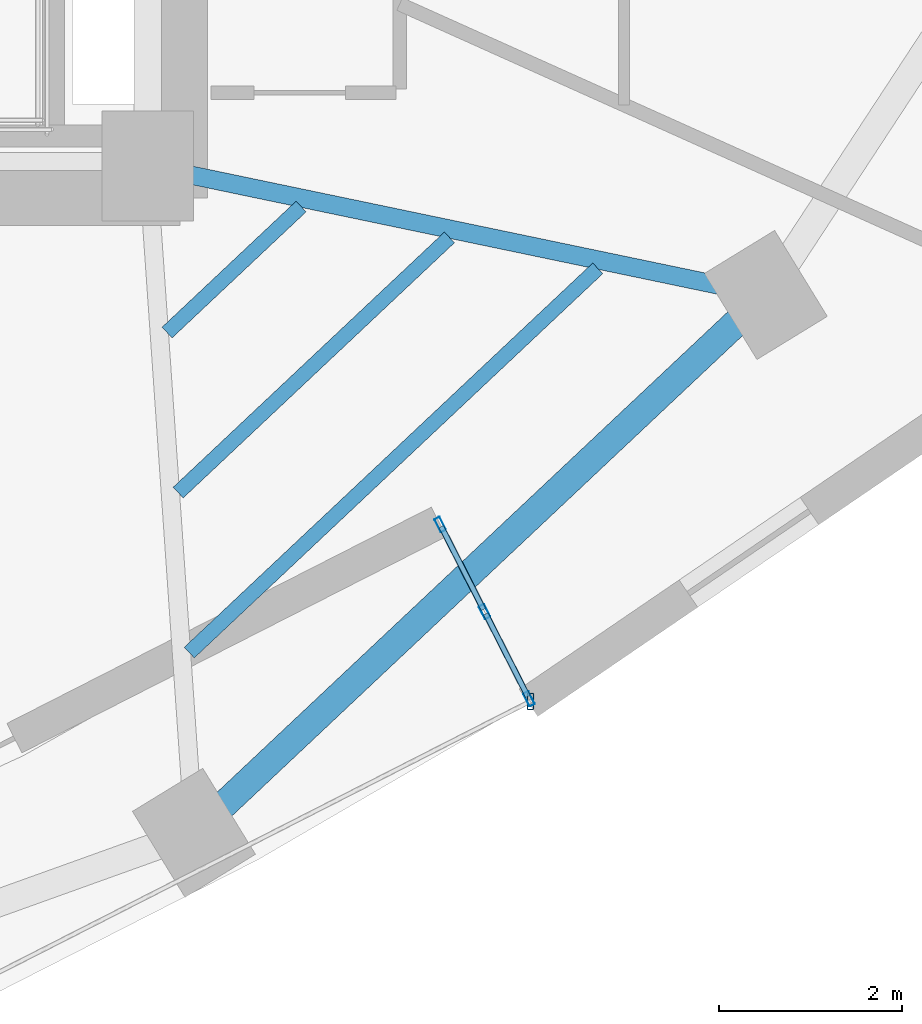
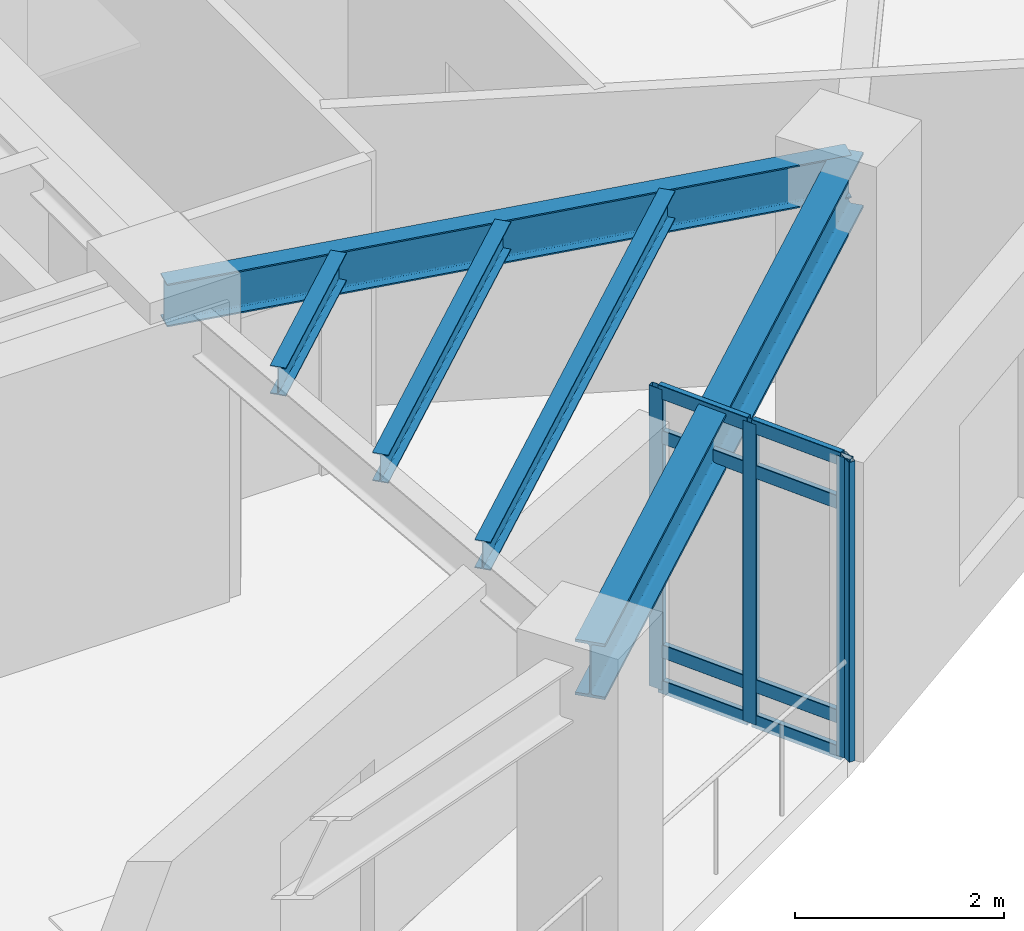
# One storey, part 3 of 11: 12 members, 5 beams, 1 element without a shape of its own.
"""IFC4 building model written with IfcOpenShell, lengths in metres."""

from ifc_helpers import new_model, si_unit, direction, frame, origin, origin_2d, place, context, subcontext, project, spatial, hollow_rectangle, i_section, extrude, material, layer, layer_set, material_profile, profile_set, type_object, element, aggregate, save


model = new_model("IFC4")

# Units and contexts
model_context = context("Model", 3, precision=1e-05, world=origin(), true_north=direction((0.0, 1.0)))
body_context = subcontext(model_context, "Body", "Model", "MODEL_VIEW")
ifc_project = project(units=[si_unit("LENGTHUNIT", "METRE"), si_unit("AREAUNIT", "SQUARE_METRE"), si_unit("VOLUMEUNIT", "CUBIC_METRE"), si_unit("PLANEANGLEUNIT", "RADIAN"), si_unit("MASSUNIT", "GRAM", prefix="KILO")], contexts=[model_context])

# Site, building, storey
site_placement = place(None, origin())
site = spatial("IfcSite", under=ifc_project, at=site_placement, CompositionType="ELEMENT")
building_placement = place(site_placement, origin())
building = spatial("IfcBuilding", under=site, at=building_placement, Name="Ndelora Gate Hotel", CompositionType="ELEMENT")
storey_placement = place(building_placement, frame((0.0, 0.0, 116.0)))
storey = spatial("IfcBuildingStorey", under=building, at=storey_placement, Name="L28", CompositionType="ELEMENT", Elevation=116.0)

# Beams
ifc_material_1 = material(Name="Steel S355", Category="steel")
ifc_material_profile_1 = material_profile(ifc_material_1, i_section(OverallWidth=0.159912109375, OverallDepth=0.330078125, WebThickness=0.007568359375, FlangeThickness=0.011474609375, FilletRadius=0.01806640625, at=origin_2d()), Name="IPE 330")
ifc_profile_set_1 = profile_set([ifc_material_profile_1], Name="Steel S355")
beam_type_1 = type_object("IfcBeamType", Name="BM-JST-330", PredefinedType="JOIST", material=ifc_profile_set_1)
beam_1_placement = place(storey_placement, frame((8.211181640625, -8.4169921875, 3.3349609375), z_axis=(0.728414088998, 0.685137150466, 0.0), x_axis=(-0.685137150466, 0.728414088998, 0.0)))
element("IfcBeam", 1, at=beam_1_placement, inside=storey, type_object=beam_type_1, Name="L28 Secondary Composite Floor Joist IN-7", PredefinedType="JOIST", context=body_context, shape_type="SweptSolid", body=[
    extrude(i_section(OverallWidth=0.159912109375, OverallDepth=0.330078125, WebThickness=0.007568359375, FlangeThickness=0.011474609375, FilletRadius=0.01806640625, at=origin_2d()), origin(), (0.0, 0.0, 1.0), 2.00830078125),
])
beam_2_placement = place(storey_placement, frame((8.33251953125, -10.163818359375, 3.3349609375), z_axis=(0.728369245526, 0.685184823366, 0.0), x_axis=(-0.685184823366, 0.728369245526, 0.0)))
element("IfcBeam", 2, at=beam_2_placement, inside=storey, type_object=beam_type_1, Name="L28 Secondary Composite Floor Joist MID-7", PredefinedType="JOIST", context=body_context, shape_type="SweptSolid", body=[
    extrude(i_section(OverallWidth=0.159912109375, OverallDepth=0.330078125, WebThickness=0.007568359375, FlangeThickness=0.011474609375, FilletRadius=0.01806640625, at=origin_2d()), origin(), (0.0, 0.0, 1.0), 4.06494140625),
])
beam_3_placement = place(storey_placement, frame((8.45361328125, -11.910400390625, 3.3349609375), z_axis=(0.728393161111, 0.68515939959, 0.0), x_axis=(-0.68515939959, 0.728393161111, 0.0)))
element("IfcBeam", 3, at=beam_3_placement, inside=storey, type_object=beam_type_1, Name="L28 Secondary Composite Floor Joist OUT-7", PredefinedType="JOIST", context=body_context, shape_type="SweptSolid", body=[
    extrude(i_section(OverallWidth=0.159912109375, OverallDepth=0.330078125, WebThickness=0.007568359375, FlangeThickness=0.011474609375, FilletRadius=0.01806640625, at=origin_2d()), origin(), (0.0, 0.0, 1.0), 6.121337890625),
])
ifc_material_profile_2 = material_profile(ifc_material_1, i_section(OverallWidth=0.199951171875, OverallDepth=0.5, WebThickness=0.01025390625, FlangeThickness=0.01611328125, FilletRadius=0.02099609375, at=origin_2d()), Name="IPE 500")
ifc_profile_set_2 = profile_set([ifc_material_profile_2], Name="Steel S355")
beam_type_2 = type_object("IfcBeamType", Name="BM-RAD-500", PredefinedType="BEAM", material=ifc_profile_set_2)
beam_4_placement = place(storey_placement, frame((8.0, -6.60009765625, 3.25), z_axis=(0.978952706778, -0.204087231083, 0.0), x_axis=(0.204087231083, 0.978952706778, 0.0)))
element("IfcBeam", 4, at=beam_4_placement, inside=storey, type_object=beam_type_2, Name="L28 Radial Floor Girder 8", PredefinedType="BEAM", context=body_context, shape_type="SweptSolid", body=[
    extrude(i_section(OverallWidth=0.199951171875, OverallDepth=0.5, WebThickness=0.01025390625, FlangeThickness=0.01611328125, FilletRadius=0.02099609375, at=origin_2d()), origin(), (0.0, 0.0, 1.0), 6.8916015625),
])
ifc_material_profile_3 = material_profile(ifc_material_1, i_section(OverallWidth=0.300048828125, OverallDepth=0.64990234375, WebThickness=0.01611328125, FlangeThickness=0.031005859375, FilletRadius=0.027099609375, at=origin_2d()), Name="HEB 650")
ifc_profile_set_3 = profile_set([ifc_material_profile_3], Name="Steel S355")
beam_type_3 = type_object("IfcBeamType", Name="BM-RING-650", PredefinedType="SPANDREL", material=ifc_profile_set_3)
beam_5_placement = place(storey_placement, frame((8.50439453125, -13.878173828125, 3.175048828125), z_axis=(0.728399016952, 0.68515317419, 0.0), x_axis=(-0.68515317419, 0.728399016952, 0.0)))
element("IfcBeam", 5, at=beam_5_placement, inside=storey, type_object=beam_type_3, Name="L28 Perimeter Spandrel Girder 7", PredefinedType="SPANDREL", context=body_context, shape_type="SweptSolid", body=[
    extrude(i_section(OverallWidth=0.300048828125, OverallDepth=0.64990234375, WebThickness=0.01611328125, FlangeThickness=0.031005859375, FilletRadius=0.027099609375, at=origin_2d()), origin(), (0.0, 0.0, 1.0), 8.56982421875),
])

# Curtain wall, members
ifc_material_2 = material(Name="Bronze Anodised Unitised Aluminium and Low-E Glass", Category="aluminium")
ifc_layer = layer(ifc_material_2, 0.199951171875)
ifc_layer_set = layer_set([ifc_layer], Name="Bronze Anodised Unitised Aluminium and Low-E Glass")
curtain_wall_type = type_object("IfcCurtainWallType", Name="CW-SYS-3", PredefinedType="NOTDEFINED", material=ifc_layer_set)
curtain_wall_placement = place(storey_placement, origin())
curtain_wall = element("IfcCurtainWall", 6, at=curtain_wall_placement, inside=storey, type_object=curtain_wall_type, Name="L28 Sky-Garden Loggia Side Curtain Wall CW3-2", PredefinedType="NOTDEFINED")
ifc_material_3 = material(Name="Bronze Anodised Aluminium 6063-T6", Category="aluminium")
ifc_material_profile_4 = material_profile(ifc_material_3, hollow_rectangle(XDim=0.06494140625, YDim=0.159912109375, WallThickness=0.00390625, InnerFilletRadius=0.00390625, OuterFilletRadius=0.008056640625, at=origin_2d()), Name="ALU 160x65x4")
ifc_profile_set_4 = profile_set([ifc_material_profile_4], Name="Bronze Anodised Aluminium 6063-T6")
member_type_1 = type_object("IfcMemberType", Name="MB-CW-MUL150", PredefinedType="MULLION", material=ifc_profile_set_4)
member_1_placement = place(storey_placement, frame((12.161865234375, -12.4150390625, -0.00390625), z_axis=(0.0, 0.0, 1.0), x_axis=(-0.891001336507, -0.454000680995, 0.0)))
member_1 = element("IfcMember", 7, at=member_1_placement, type_object=member_type_1, Name="CW3 mullion 1", PredefinedType="MULLION", context=body_context, shape_type="SweptSolid", body=[
    extrude(hollow_rectangle(XDim=0.06494140625, YDim=0.159912109375, WallThickness=0.00390625, InnerFilletRadius=0.00390625, OuterFilletRadius=0.008056640625, at=origin_2d()), origin(), (0.0, 0.0, 1.0), 3.5078125),
])
member_2_placement = place(storey_placement, frame((11.67724609375, -11.4638671875, -0.00390625), z_axis=(0.0, 0.0, 1.0), x_axis=(-0.891001336507, -0.454000680995, 0.0)))
member_2 = element("IfcMember", 8, at=member_2_placement, type_object=member_type_1, Name="CW3 mullion 2", PredefinedType="MULLION", context=body_context, shape_type="SweptSolid", body=[
    extrude(hollow_rectangle(XDim=0.06494140625, YDim=0.159912109375, WallThickness=0.00390625, InnerFilletRadius=0.00390625, OuterFilletRadius=0.008056640625, at=origin_2d()), origin(), (0.0, 0.0, 1.0), 3.5078125),
])
member_3_placement = place(storey_placement, frame((11.192626953125, -10.5126953125, -0.00390625), z_axis=(0.0, 0.0, 1.0), x_axis=(-0.891001336507, -0.454000680995, 0.0)))
member_3 = element("IfcMember", 9, at=member_3_placement, type_object=member_type_1, Name="CW3 mullion 3", PredefinedType="MULLION", context=body_context, shape_type="SweptSolid", body=[
    extrude(hollow_rectangle(XDim=0.06494140625, YDim=0.159912109375, WallThickness=0.00390625, InnerFilletRadius=0.00390625, OuterFilletRadius=0.008056640625, at=origin_2d()), origin(), (0.0, 0.0, 1.0), 3.5078125),
])
ifc_material_profile_5 = material_profile(ifc_material_3, hollow_rectangle(XDim=0.070068359375, YDim=0.179931640625, WallThickness=0.0048828125, InnerFilletRadius=0.0048828125, OuterFilletRadius=0.010009765625, at=origin_2d()), Name="ALU 180x70x5")
ifc_profile_set_5 = profile_set([ifc_material_profile_5], Name="Bronze Anodised Aluminium 6063-T6")
member_type_2 = type_object("IfcMemberType", Name="MB-CW-MUL180", PredefinedType="MULLION", material=ifc_profile_set_5)
member_4_placement = place(storey_placement, frame((12.176513671875, -12.44384765625, 0.0), z_axis=(0.0, 0.0, 1.0), x_axis=(1.0, 0.0, 0.0)))
member_4 = element("IfcMember", 10, at=member_4_placement, type_object=member_type_2, Name="L28 Sky-Garden Loggia Corner Mullion Post 2", PredefinedType="MULLION", context=body_context, shape_type="SweptSolid", body=[
    extrude(hollow_rectangle(XDim=0.070068359375, YDim=0.179931640625, WallThickness=0.0048828125, InnerFilletRadius=0.0048828125, OuterFilletRadius=0.010009765625, at=origin_2d()), origin(), (0.0, 0.0, 1.0), 3.5),
])
ifc_material_profile_6 = material_profile(ifc_material_3, hollow_rectangle(XDim=0.06494140625, YDim=0.159912109375, WallThickness=0.00390625, InnerFilletRadius=0.00390625, OuterFilletRadius=0.008056640625, at=origin_2d()), Name="ALU 160x65x4")
ifc_profile_set_6 = profile_set([ifc_material_profile_6], Name="Bronze Anodised Aluminium 6063-T6")
member_type_3 = type_object("IfcMemberType", Name="MB-CW-TRN150", PredefinedType="USERDEFINED", material=ifc_profile_set_6)
member_5_placement = place(storey_placement, frame((12.14990234375, -12.391357421875, 0.032470703125), z_axis=(-0.454033910437, 0.890984404001, 0.0), x_axis=(-0.890984404001, -0.454033910437, 0.0)))
member_5 = element("IfcMember", 11, at=member_5_placement, type_object=member_type_3, Name="CW3 transom 1.1", ObjectType="TRANSOM", PredefinedType="USERDEFINED", context=body_context, shape_type="SweptSolid", body=[
    extrude(hollow_rectangle(XDim=0.06494140625, YDim=0.159912109375, WallThickness=0.00390625, InnerFilletRadius=0.00390625, OuterFilletRadius=0.008056640625, at=origin_2d()), origin(), (0.0, 0.0, 1.0), 1.0146484375),
])
member_6_placement = place(storey_placement, frame((12.14990234375, -12.391357421875, 0.449951171875), z_axis=(-0.454033910437, 0.890984404001, 0.0), x_axis=(-0.890984404001, -0.454033910437, 0.0)))
member_6 = element("IfcMember", 12, at=member_6_placement, type_object=member_type_3, Name="CW3 transom 1.2", ObjectType="TRANSOM", PredefinedType="USERDEFINED", context=body_context, shape_type="SweptSolid", body=[
    extrude(hollow_rectangle(XDim=0.06494140625, YDim=0.159912109375, WallThickness=0.00390625, InnerFilletRadius=0.00390625, OuterFilletRadius=0.008056640625, at=origin_2d()), origin(), (0.0, 0.0, 1.0), 1.0146484375),
])
member_7_placement = place(storey_placement, frame((12.14990234375, -12.391357421875, 2.949951171875), z_axis=(-0.454033910437, 0.890984404001, 0.0), x_axis=(-0.890984404001, -0.454033910437, 0.0)))
member_7 = element("IfcMember", 13, at=member_7_placement, type_object=member_type_3, Name="CW3 transom 1.3", ObjectType="TRANSOM", PredefinedType="USERDEFINED", context=body_context, shape_type="SweptSolid", body=[
    extrude(hollow_rectangle(XDim=0.06494140625, YDim=0.159912109375, WallThickness=0.00390625, InnerFilletRadius=0.00390625, OuterFilletRadius=0.008056640625, at=origin_2d()), origin(), (0.0, 0.0, 1.0), 1.0146484375),
])
member_8_placement = place(storey_placement, frame((12.14990234375, -12.391357421875, 3.467529296875), z_axis=(-0.454033910437, 0.890984404001, 0.0), x_axis=(-0.890984404001, -0.454033910437, 0.0)))
member_8 = element("IfcMember", 14, at=member_8_placement, type_object=member_type_3, Name="CW3 transom 1.4", ObjectType="TRANSOM", PredefinedType="USERDEFINED", context=body_context, shape_type="SweptSolid", body=[
    extrude(hollow_rectangle(XDim=0.06494140625, YDim=0.159912109375, WallThickness=0.00390625, InnerFilletRadius=0.00390625, OuterFilletRadius=0.008056640625, at=origin_2d()), origin(), (0.0, 0.0, 1.0), 1.0146484375),
])
member_9_placement = place(storey_placement, frame((11.665283203125, -11.440185546875, 0.032470703125), z_axis=(-0.454131264886, 0.890934786756, 0.0), x_axis=(-0.890934786756, -0.454131264886, 0.0)))
member_9 = element("IfcMember", 15, at=member_9_placement, type_object=member_type_3, Name="CW3 transom 2.1", ObjectType="TRANSOM", PredefinedType="USERDEFINED", context=body_context, shape_type="SweptSolid", body=[
    extrude(hollow_rectangle(XDim=0.06494140625, YDim=0.159912109375, WallThickness=0.00390625, InnerFilletRadius=0.00390625, OuterFilletRadius=0.008056640625, at=origin_2d()), origin(), (0.0, 0.0, 1.0), 1.014404296875),
])
member_10_placement = place(storey_placement, frame((11.665283203125, -11.440185546875, 0.449951171875), z_axis=(-0.454131264886, 0.890934786756, 0.0), x_axis=(-0.890934786756, -0.454131264886, 0.0)))
member_10 = element("IfcMember", 16, at=member_10_placement, type_object=member_type_3, Name="CW3 transom 2.2", ObjectType="TRANSOM", PredefinedType="USERDEFINED", context=body_context, shape_type="SweptSolid", body=[
    extrude(hollow_rectangle(XDim=0.06494140625, YDim=0.159912109375, WallThickness=0.00390625, InnerFilletRadius=0.00390625, OuterFilletRadius=0.008056640625, at=origin_2d()), origin(), (0.0, 0.0, 1.0), 1.014404296875),
])
member_11_placement = place(storey_placement, frame((11.665283203125, -11.440185546875, 2.949951171875), z_axis=(-0.454131264886, 0.890934786756, 0.0), x_axis=(-0.890934786756, -0.454131264886, 0.0)))
member_11 = element("IfcMember", 17, at=member_11_placement, type_object=member_type_3, Name="CW3 transom 2.3", ObjectType="TRANSOM", PredefinedType="USERDEFINED", context=body_context, shape_type="SweptSolid", body=[
    extrude(hollow_rectangle(XDim=0.06494140625, YDim=0.159912109375, WallThickness=0.00390625, InnerFilletRadius=0.00390625, OuterFilletRadius=0.008056640625, at=origin_2d()), origin(), (0.0, 0.0, 1.0), 1.014404296875),
])
member_12_placement = place(storey_placement, frame((11.665283203125, -11.440185546875, 3.467529296875), z_axis=(-0.454131264886, 0.890934786756, 0.0), x_axis=(-0.890934786756, -0.454131264886, 0.0)))
member_12 = element("IfcMember", 18, at=member_12_placement, type_object=member_type_3, Name="CW3 transom 2.4", ObjectType="TRANSOM", PredefinedType="USERDEFINED", context=body_context, shape_type="SweptSolid", body=[
    extrude(hollow_rectangle(XDim=0.06494140625, YDim=0.159912109375, WallThickness=0.00390625, InnerFilletRadius=0.00390625, OuterFilletRadius=0.008056640625, at=origin_2d()), origin(), (0.0, 0.0, 1.0), 1.014404296875),
])
aggregate(curtain_wall, [member_1, member_2, member_3, member_5, member_6, member_7, member_8, member_9, member_10, member_11, member_12, member_4])

save(model, "model.ifc")
